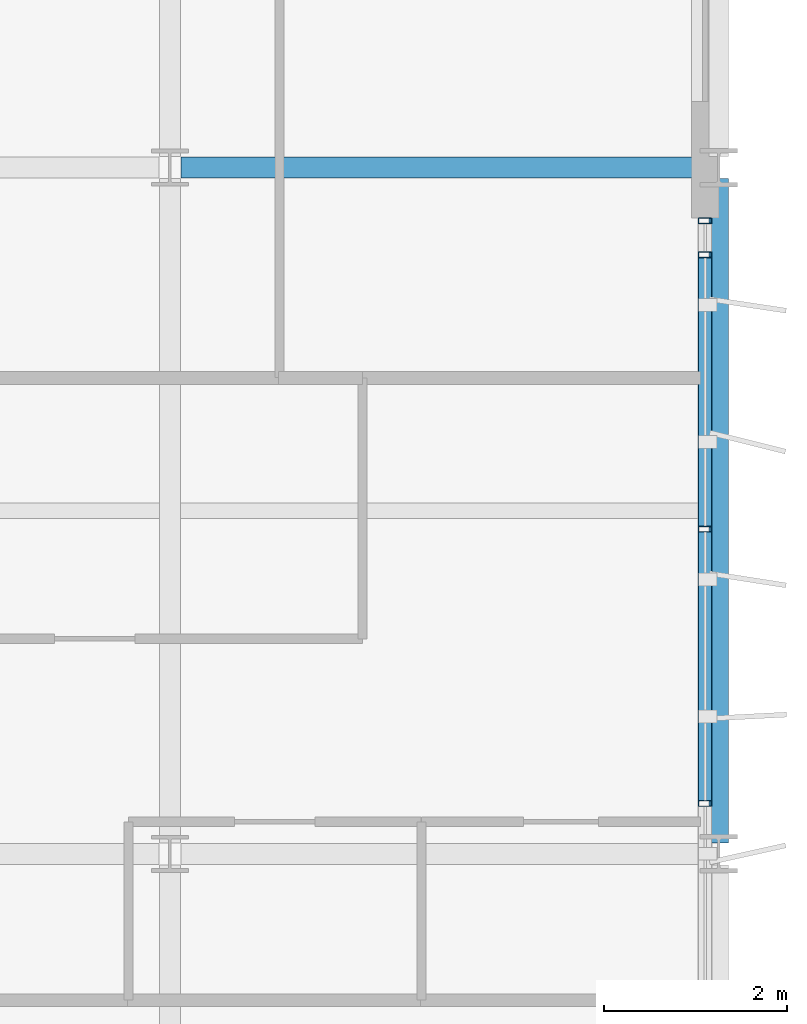
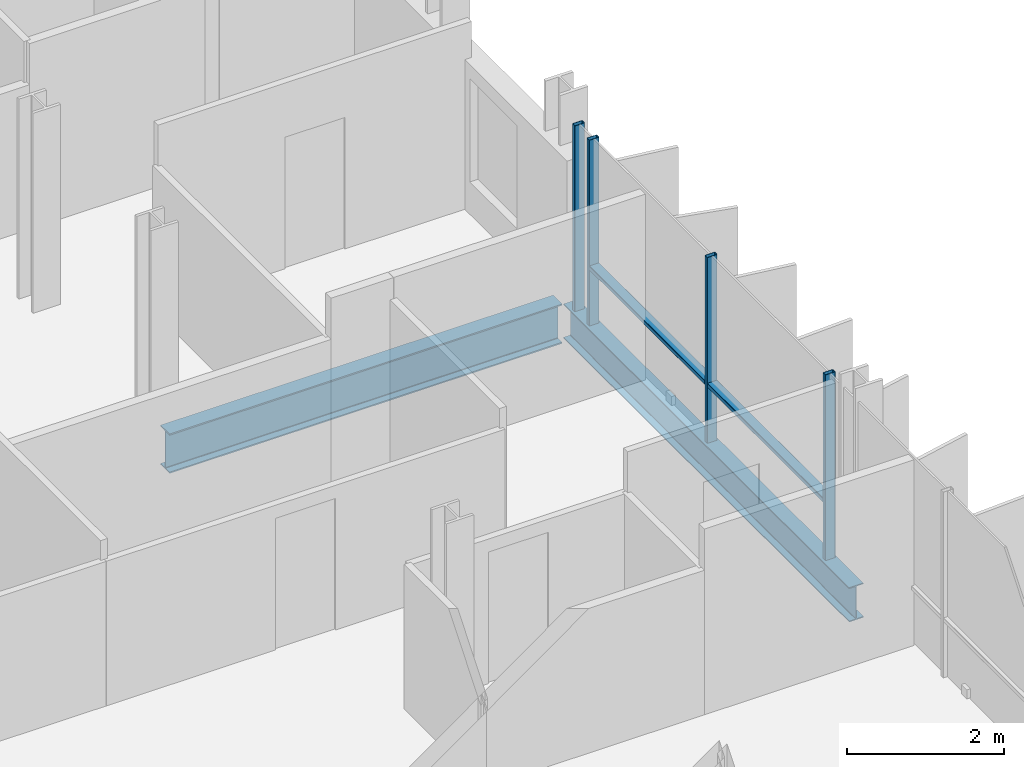
# One storey, part 21 of 38: 6 members, 2 beams, 1 element without a shape of its own.
"""IFC4 building model written with IfcOpenShell, lengths in metres."""

from ifc_helpers import new_model, si_unit, direction, frame, origin, origin_2d, place, context, subcontext, project, spatial, hollow_rectangle, i_section, extrude, material, layer, layer_set, material_profile, profile_set, type_object, element, aggregate, save


model = new_model("IFC4")

# Units and contexts
model_context = context("Model", 3, precision=1e-05, world=origin(), true_north=direction((0.0, 1.0)))
body_context = subcontext(model_context, "Body", "Model", "MODEL_VIEW")
ifc_project = project(units=[si_unit("LENGTHUNIT", "METRE"), si_unit("AREAUNIT", "SQUARE_METRE"), si_unit("VOLUMEUNIT", "CUBIC_METRE"), si_unit("PLANEANGLEUNIT", "RADIAN"), si_unit("MASSUNIT", "GRAM", prefix="KILO")], contexts=[model_context])

# Site, building, storey
site_placement = place(None, origin())
site = spatial("IfcSite", under=ifc_project, at=site_placement, CompositionType="ELEMENT")
building_placement = place(site_placement, origin())
building = spatial("IfcBuilding", under=site, at=building_placement, Name="Brevholm Reach", CompositionType="ELEMENT")
storey_placement = place(building_placement, frame((0.0, 0.0, 141.800048828125)))
storey = spatial("IfcBuildingStorey", under=building, at=storey_placement, Name="L42", CompositionType="ELEMENT", Elevation=141.800048828125)

# Beams
ifc_material_1 = material(Name="Structural Steel S355J2", Category="steel")
ifc_material_profile_1 = material_profile(ifc_material_1, i_section(OverallWidth=0.209228515625, OverallDepth=0.533203125, WebThickness=0.010009765625, FlangeThickness=0.015625, FilletRadius=0.0126953125, at=origin_2d()), Name="UKB 533x210x92")
ifc_profile_set_1 = profile_set([ifc_material_profile_1], Name="Structural Steel S355J2")
beam_type_1 = type_object("IfcBeamType", Name="BM-SP533", PredefinedType="SPANDREL", material=ifc_profile_set_1)
beam_1_placement = place(storey_placement, frame((60.0, 16.1201171875, -0.486572265625), z_axis=(0.0, 1.0, 0.0), x_axis=(-1.0, 0.0, 0.0)))
element("IfcBeam", 1, at=beam_1_placement, inside=storey, type_object=beam_type_1, Name="L42 SP-02 Framing Beam", PredefinedType="SPANDREL", context=body_context, shape_type="SweptSolid", body=[
    extrude(i_section(OverallWidth=0.209228515625, OverallDepth=0.533203125, WebThickness=0.010009765625, FlangeThickness=0.015625, FilletRadius=0.0126953125, at=origin_2d()), origin(), (0.0, 0.0, 1.0), 7.259765625),
])
ifc_material_2 = material(Name="Structural Steel S355J2", Category="steel")
ifc_material_profile_2 = material_profile(ifc_material_2, i_section(OverallWidth=0.22900390625, OverallDepth=0.6123046875, WebThickness=0.011962890625, FlangeThickness=0.01953125, FilletRadius=0.0126953125, at=origin_2d()), Name="UKB 610x229x125")
ifc_profile_set_2 = profile_set([ifc_material_profile_2], Name="Structural Steel S355J2")
beam_type_2 = type_object("IfcBeamType", Name="BM-SP610", PredefinedType="SPANDREL", material=ifc_profile_set_2)
beam_2_placement = place(storey_placement, frame((54.1201171875, 23.5, -0.526123046875), z_axis=(1.0, 0.0, 0.0), x_axis=(0.0, 1.0, 0.0)))
element("IfcBeam", 2, at=beam_2_placement, inside=storey, type_object=beam_type_2, Name="L42 SP-01 Framing Beam", PredefinedType="SPANDREL", context=body_context, shape_type="SweptSolid", body=[
    extrude(i_section(OverallWidth=0.22900390625, OverallDepth=0.6123046875, WebThickness=0.011962890625, FlangeThickness=0.01953125, FilletRadius=0.0126953125, at=origin_2d()), origin(), (0.0, 0.0, 1.0), 5.759765625),
])

# Curtain wall, members
ifc_material_3 = material(Name="Dark Anodised Aluminium 6063-T6 and Solar-Control Glass", Category="aluminium")
ifc_layer = layer(ifc_material_3, 0.14990234375)
ifc_layer_set = layer_set([ifc_layer], Name="Dark Anodised Aluminium 6063-T6 and Solar-Control Glass")
curtain_wall_type = type_object("IfcCurtainWallType", Name="CW-01", PredefinedType="NOTDEFINED", material=ifc_layer_set)
curtain_wall_placement = place(storey_placement, origin())
curtain_wall = element("IfcCurtainWall", 3, at=curtain_wall_placement, inside=storey, type_object=curtain_wall_type, Name="L42 Curtain Wall CW-01", PredefinedType="NOTDEFINED")
ifc_material_4 = material(Name="Dark Anodised Aluminium 6063-T6", Category="aluminium")
ifc_material_profile_3 = material_profile(ifc_material_4, hollow_rectangle(XDim=0.06494140625, YDim=0.14990234375, WallThickness=0.0048828125, InnerFilletRadius=0.0048828125, OuterFilletRadius=0.010009765625, at=origin_2d()), Name="RHS 150x65x5")
ifc_profile_set_3 = profile_set([ifc_material_profile_3], Name="Dark Anodised Aluminium 6063-T6")
member_type_1 = type_object("IfcMemberType", Name="CWM-150", PredefinedType="MULLION", material=ifc_profile_set_3)
member_1_placement = place(storey_placement, frame((59.85009765625, 16.550048828125, 0.0), z_axis=(0.0, 0.0, 1.0), x_axis=(0.0, 1.0, 0.0)))
member_1 = element("IfcMember", 4, at=member_1_placement, type_object=member_type_1, Name="CM-150 Mullion 3", PredefinedType="MULLION", context=body_context, shape_type="SweptSolid", body=[
    extrude(hollow_rectangle(XDim=0.06494140625, YDim=0.14990234375, WallThickness=0.0048828125, InnerFilletRadius=0.0048828125, OuterFilletRadius=0.010009765625, at=origin_2d()), origin(), (0.0, 0.0, 1.0), 2.8798828125),
])
member_2_placement = place(storey_placement, frame((59.85009765625, 19.550048828125, 0.0), z_axis=(0.0, 0.0, 1.0), x_axis=(0.0, 1.0, 0.0)))
member_2 = element("IfcMember", 5, at=member_2_placement, type_object=member_type_1, Name="CM-150 Mullion 4", PredefinedType="MULLION", context=body_context, shape_type="SweptSolid", body=[
    extrude(hollow_rectangle(XDim=0.06494140625, YDim=0.14990234375, WallThickness=0.0048828125, InnerFilletRadius=0.0048828125, OuterFilletRadius=0.010009765625, at=origin_2d()), origin(), (0.0, 0.0, 1.0), 2.8798828125),
])
member_3_placement = place(storey_placement, frame((59.85009765625, 22.550048828125, 0.0), z_axis=(0.0, 0.0, 1.0), x_axis=(0.0, 1.0, 0.0)))
member_3 = element("IfcMember", 6, at=member_3_placement, type_object=member_type_1, Name="CM-150 Mullion 5", PredefinedType="MULLION", context=body_context, shape_type="SweptSolid", body=[
    extrude(hollow_rectangle(XDim=0.06494140625, YDim=0.14990234375, WallThickness=0.0048828125, InnerFilletRadius=0.0048828125, OuterFilletRadius=0.010009765625, at=origin_2d()), origin(), (0.0, 0.0, 1.0), 2.8798828125),
])
member_4_placement = place(storey_placement, frame((59.85009765625, 22.91748046875, 0.0), z_axis=(0.0, 0.0, 1.0), x_axis=(0.0, 1.0, 0.0)))
member_4 = element("IfcMember", 7, at=member_4_placement, type_object=member_type_1, Name="CM-150 Mullion 6", PredefinedType="MULLION", context=body_context, shape_type="SweptSolid", body=[
    extrude(hollow_rectangle(XDim=0.06494140625, YDim=0.14990234375, WallThickness=0.0048828125, InnerFilletRadius=0.0048828125, OuterFilletRadius=0.010009765625, at=origin_2d()), origin(), (0.0, 0.0, 1.0), 2.8798828125),
])
ifc_material_5 = material(Name="Dark Anodised Aluminium 6063-T6", Category="aluminium")
ifc_material_profile_4 = material_profile(ifc_material_5, hollow_rectangle(XDim=0.06494140625, YDim=0.14990234375, WallThickness=0.0048828125, InnerFilletRadius=0.0048828125, OuterFilletRadius=0.010009765625, at=origin_2d()), Name="RHS 150x65x5")
ifc_profile_set_4 = profile_set([ifc_material_profile_4], Name="Dark Anodised Aluminium 6063-T6")
member_type_2 = type_object("IfcMemberType", Name="CWT-150", PredefinedType="NOTDEFINED", material=ifc_profile_set_4)
member_5_placement = place(storey_placement, frame((59.85009765625, 16.58251953125, 0.89990234375), z_axis=(0.0, 1.0, 0.0), x_axis=(0.0, 0.0, 1.0)))
member_5 = element("IfcMember", 8, at=member_5_placement, type_object=member_type_2, Name="CT-150 Transom 3.1", ObjectType="TRANSOM", PredefinedType="USERDEFINED", context=body_context, shape_type="SweptSolid", body=[
    extrude(hollow_rectangle(XDim=0.06494140625, YDim=0.14990234375, WallThickness=0.0048828125, InnerFilletRadius=0.0048828125, OuterFilletRadius=0.010009765625, at=origin_2d()), origin(), (0.0, 0.0, 1.0), 2.93505859375),
])
member_6_placement = place(storey_placement, frame((59.85009765625, 19.58251953125, 0.89990234375), z_axis=(0.0, 1.0, 0.0), x_axis=(0.0, 0.0, 1.0)))
member_6 = element("IfcMember", 9, at=member_6_placement, type_object=member_type_2, Name="CT-150 Transom 4.1", ObjectType="TRANSOM", PredefinedType="USERDEFINED", context=body_context, shape_type="SweptSolid", body=[
    extrude(hollow_rectangle(XDim=0.06494140625, YDim=0.14990234375, WallThickness=0.0048828125, InnerFilletRadius=0.0048828125, OuterFilletRadius=0.010009765625, at=origin_2d()), origin(), (0.0, 0.0, 1.0), 2.93505859375),
])
aggregate(curtain_wall, [member_1, member_2, member_3, member_4, member_5, member_6])

save(model, "model.ifc")
